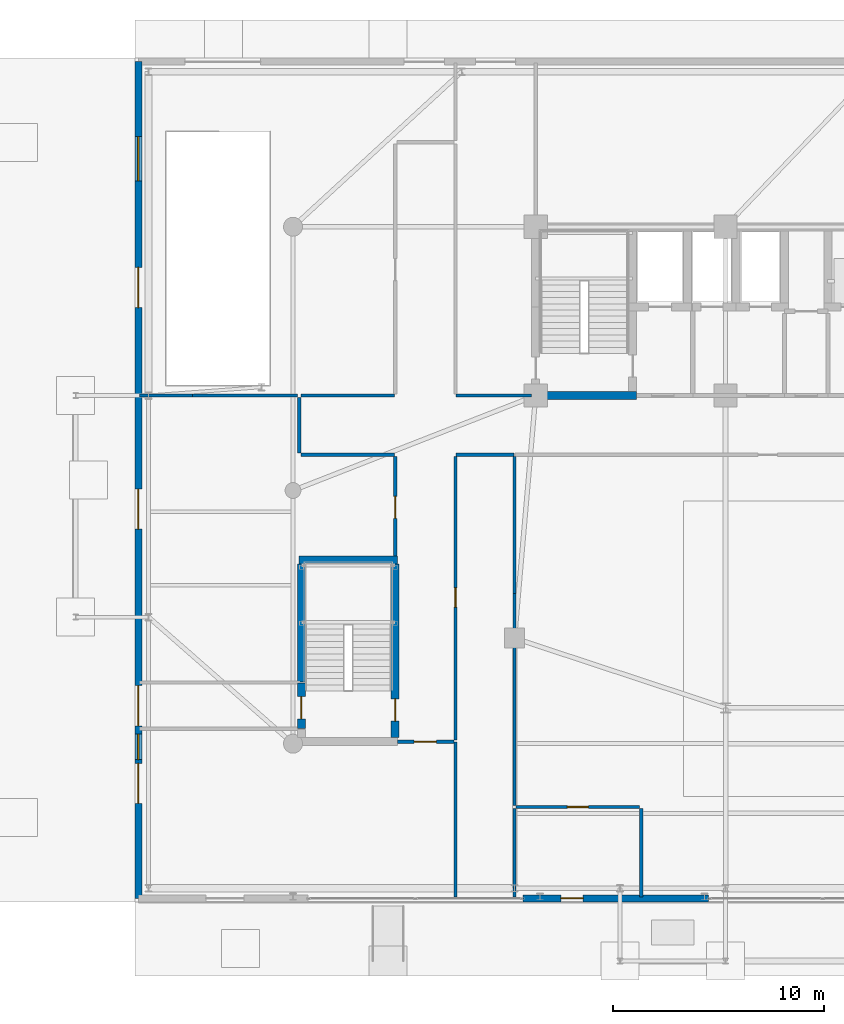
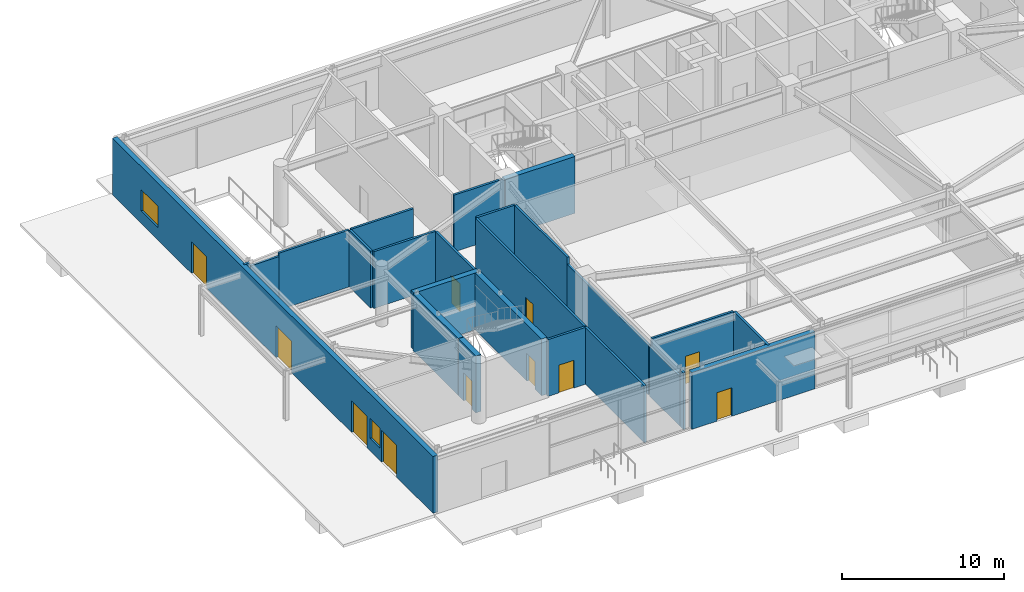
# One storey, part 19 of 29: 25 walls, 11 doors, 2 windows, 13 openings.
"""IFC4 building model written with IfcOpenShell, lengths in metres."""

from ifc_helpers import new_model, si_unit, direction, frame, frame_2d, origin, place, context, subcontext, project, spatial, rectangle, extrude, source, transform, mapped, material, layer, layer_set, type_object, element, fill, save


model = new_model("IFC4")

# Units and contexts
model_context = context("Model", 3, precision=1e-05, world=origin(), true_north=direction((0.0, 1.0)))
body_context = subcontext(model_context, "Body", "Model", "MODEL_VIEW")
ifc_project = project(units=[si_unit("LENGTHUNIT", "METRE"), si_unit("AREAUNIT", "SQUARE_METRE"), si_unit("VOLUMEUNIT", "CUBIC_METRE"), si_unit("PLANEANGLEUNIT", "RADIAN"), si_unit("MASSUNIT", "GRAM", prefix="KILO")], contexts=[model_context])

# Site, building, storey
site_placement = place(None, origin())
site = spatial("IfcSite", under=ifc_project, at=site_placement, CompositionType="ELEMENT")
building_placement = place(site_placement, origin())
building = spatial("IfcBuilding", under=site, at=building_placement, Name="Taldren Reach Tower", CompositionType="ELEMENT")
storey_placement = place(building_placement, origin())
storey = spatial("IfcBuildingStorey", under=building, at=storey_placement, Name="L00", CompositionType="ELEMENT", Elevation=0.0)

# Wall, opening, door
ifc_material_1 = material(Name="Pale Champagne Anodised Aluminium Cladding", Category="aluminium")
ifc_layer_1 = layer(ifc_material_1, 0.04, Name="Pale Champagne Anodised Aluminium Cladding", Category="aluminium")
ifc_material_2 = material(Name="Mineral Wool Thermal Insulation", Category="insulation")
ifc_layer_2 = layer(ifc_material_2, 0.08, Name="Mineral Wool Thermal Insulation", Category="insulation")
ifc_material_3 = material(Name="Concrete S50 (50 MPa)", Category="concrete")
ifc_layer_3 = layer(ifc_material_3, 0.22, Name="Concrete S50 (50 MPa)", Category="concrete")
ifc_layer_set_1 = layer_set([ifc_layer_1, ifc_layer_2, ifc_layer_3], Name="Pale Champagne Aluminium Cladding and Precast Concrete 50 MPa (S50)")
wall_type_1 = type_object("IfcWallType", Name="EW-POD-340", PredefinedType="SOLIDWALL", material=ifc_layer_set_1)
shared_shape_1 = source(origin(), body_context, "Body", "SweptSolid", [
    extrude(rectangle(XDim=8.800048828125, YDim=0.340087890625, at=frame_2d((4.39990234375, 0.0))), origin(), (0.0, 0.0, 1.0), 4.2900390625),
])
wall_1_placement = place(storey_placement, frame((18.39990234375, 0.169921875, 0.0), z_axis=(0.0, 0.0, 1.0), x_axis=(1.0, 0.0, 0.0)))
wall_1 = element("IfcWall", 1, at=wall_1_placement, inside=storey, type_object=wall_type_1, Name="Podium riverfront wall L00-S2", PredefinedType="SOLIDWALL", context=body_context, shape_type="MappedRepresentation", body=[
    mapped(shared_shape_1, transform((0.0, 0.0, 0.0), scale=1.0)),
])
shared_shape_2 = source(origin(), body_context, "Body", "SweptSolid", [
    extrude(rectangle(XDim=1.050048828125, YDim=2.14990234375, at=frame_2d((0.52490234375, 1.074951171875))), frame((0.0, 0.18017578125, 0.0), z_axis=(0.0, -1.0, 0.0), x_axis=(1.0, 0.0, 0.0)), (0.0, 0.0, 1.0), 0.360107421875),
])
opening_1_placement = place(wall_1_placement, frame((1.800048828125, 0.0, 0.0)))
opening_1 = element("IfcOpeningElement", 2, at=opening_1_placement, cuts=wall_1, Name="Opening ED-FCR", PredefinedType="OPENING", context=body_context, shape_type="MappedRepresentation", body=[
    mapped(shared_shape_2, transform((0.0, 0.0, 0.0), scale=1.0)),
])
ifc_material_4 = material(Name="Steel Gr 300 (300 MPa) Fire Control Exit Door", Category="steel")
door_type_1 = type_object("IfcDoorType", Name="ED-FCR-1050", OperationType="NOTDEFINED", PredefinedType="DOOR", material=ifc_material_4)
shared_shape_3 = source(origin(), body_context, "Body", "SweptSolid", [
    extrude(rectangle(XDim=1.050048828125, YDim=2.14990234375, at=frame_2d((0.52490234375, 1.074951171875))), frame((0.0, 0.02490234375, 0.0), z_axis=(0.0, -1.0, 0.0), x_axis=(1.0, 0.0, 0.0)), (0.0, 0.0, 1.0), 0.050048828125),
])
door_1_placement = place(opening_1_placement, frame((1.050048828125, 0.0, 0.0), z_axis=(0.0, 0.0, 1.0), x_axis=(-1.0, 0.0, 0.0)))
door_1 = element("IfcDoor", 3, at=door_1_placement, inside=storey, type_object=door_type_1, Name="Ground exit door ED-L00-FCR", OperationType="SINGLE_SWING_RIGHT", OverallHeight=2.14990234375, OverallWidth=1.050048828125, PredefinedType="DOOR", context=body_context, shape_type="MappedRepresentation", body=[
    mapped(shared_shape_3, transform((0.0, 0.0, 0.0), scale=1.0)),
])
fill(opening_1, door_1)

# Wall, openings, doors, windows
shared_shape_4 = source(origin(), body_context, "Body", "SweptSolid", [
    extrude(rectangle(XDim=39.66015625, YDim=0.340087890625, at=frame_2d((19.830078125, 0.0))), origin(), (0.0, 0.0, 1.0), 4.2900390625),
])
wall_2_placement = place(storey_placement, frame((0.169921875, 0.169921875, 0.0), z_axis=(0.0, 0.0, 1.0), x_axis=(0.0, 1.0, 0.0)))
wall_2 = element("IfcWall", 4, at=wall_2_placement, inside=storey, type_object=wall_type_1, Name="Podium west plaza wall L00", PredefinedType="SOLIDWALL", context=body_context, shape_type="MappedRepresentation", body=[
    mapped(shared_shape_4, transform((0.0, 0.0, 0.0), scale=1.0)),
])
shared_shape_5 = source(origin(), body_context, "Body", "SweptSolid", [
    extrude(rectangle(XDim=1.89990234375, YDim=2.39990234375, at=frame_2d((0.949951171875, 1.199951171875))), frame((0.0, 0.18017578125, 0.0), z_axis=(0.0, -1.0, 0.0), x_axis=(1.0, 0.0, 0.0)), (0.0, 0.0, 1.0), 0.360107421875),
])
opening_2_placement = place(wall_2_placement, frame((4.5, 0.0, 0.0)))
opening_2 = element("IfcOpeningElement", 5, at=opening_2_placement, cuts=wall_2, Name="Opening ED-190", PredefinedType="OPENING", context=body_context, shape_type="MappedRepresentation", body=[
    mapped(shared_shape_5, transform((0.0, 0.0, 0.0), scale=1.0)),
])
opening_3_placement = place(wall_2_placement, frame((17.5, 0.0, 0.0)))
opening_3 = element("IfcOpeningElement", 6, at=opening_3_placement, cuts=wall_2, Name="Opening ED-190", PredefinedType="OPENING", context=body_context, shape_type="MappedRepresentation", body=[
    mapped(shared_shape_5, transform((0.0, 0.0, 0.0), scale=1.0)),
])
opening_4_placement = place(wall_2_placement, frame((28.0, 0.0, 0.0)))
opening_4 = element("IfcOpeningElement", 7, at=opening_4_placement, cuts=wall_2, Name="Opening ED-190", PredefinedType="OPENING", context=body_context, shape_type="MappedRepresentation", body=[
    mapped(shared_shape_5, transform((0.0, 0.0, 0.0), scale=1.0)),
])
opening_5_placement = place(wall_2_placement, frame((8.179931640625, 0.0, 0.0)))
opening_5 = element("IfcOpeningElement", 8, at=opening_5_placement, cuts=wall_2, Name="Opening ED-190", PredefinedType="OPENING", context=body_context, shape_type="MappedRepresentation", body=[
    mapped(shared_shape_5, transform((0.0, 0.0, 0.0), scale=1.0)),
])
shared_shape_6 = source(origin(), body_context, "Body", "SweptSolid", [
    extrude(rectangle(XDim=1.199951171875, YDim=1.5, at=frame_2d((0.60009765625, 0.75))), frame((0.0, 0.18017578125, 0.0), z_axis=(0.0, -1.0, 0.0), x_axis=(1.0, 0.0, 0.0)), (0.0, 0.0, 1.0), 0.360107421875),
])
opening_6_placement = place(wall_2_placement, frame((6.580078125, 0.0, 0.949951171875)))
opening_6 = element("IfcOpeningElement", 9, at=opening_6_placement, cuts=wall_2, Name="Opening W-1215", PredefinedType="OPENING", context=body_context, shape_type="MappedRepresentation", body=[
    mapped(shared_shape_6, transform((0.0, 0.0, 0.0), scale=1.0)),
])
shared_shape_7 = source(origin(), body_context, "Body", "SweptSolid", [
    extrude(rectangle(XDim=2.10009765625, YDim=1.60009765625, at=frame_2d((1.050048828125, 0.800048828125))), frame((0.0, 0.18017578125, 0.0), z_axis=(0.0, -1.0, 0.0), x_axis=(1.0, 0.0, 0.0)), (0.0, 0.0, 1.0), 0.360107421875),
])
opening_7_placement = place(wall_2_placement, frame((34.0, 0.0, 0.949951171875)))
opening_7 = element("IfcOpeningElement", 10, at=opening_7_placement, cuts=wall_2, Name="Opening W-2116", PredefinedType="OPENING", context=body_context, shape_type="MappedRepresentation", body=[
    mapped(shared_shape_7, transform((0.0, 0.0, 0.0), scale=1.0)),
])
ifc_material_5 = material(Name="Glazed Aluminium Double Exit Door", Category="aluminium")
door_type_2 = type_object("IfcDoorType", Name="ED-EXIT-1900", OperationType="DOUBLE_DOOR_SINGLE_SWING", PredefinedType="DOOR", material=ifc_material_5)
shared_shape_8 = source(origin(), body_context, "Body", "SweptSolid", [
    extrude(rectangle(XDim=1.89990234375, YDim=2.39990234375, at=frame_2d((0.949951171875, 1.199951171875))), frame((0.0, 0.02490234375, 0.0), z_axis=(0.0, -1.0, 0.0), x_axis=(1.0, 0.0, 0.0)), (0.0, 0.0, 1.0), 0.050048828125),
])
door_2_placement = place(opening_2_placement, origin())
door_2 = element("IfcDoor", 11, at=door_2_placement, inside=storey, type_object=door_type_2, Name="West plaza exit door ED-L00-W1", OperationType="DOUBLE_DOOR_SINGLE_SWING", OverallHeight=2.39990234375, OverallWidth=1.89990234375, PredefinedType="DOOR", context=body_context, shape_type="MappedRepresentation", body=[
    mapped(shared_shape_8, transform((0.0, 0.0, 0.0), scale=1.0)),
])
fill(opening_2, door_2)
door_3_placement = place(opening_3_placement, origin())
door_3 = element("IfcDoor", 12, at=door_3_placement, inside=storey, type_object=door_type_2, Name="West plaza exit door ED-L00-W2", OperationType="DOUBLE_DOOR_SINGLE_SWING", OverallHeight=2.39990234375, OverallWidth=1.89990234375, PredefinedType="DOOR", context=body_context, shape_type="MappedRepresentation", body=[
    mapped(shared_shape_8, transform((0.0, 0.0, 0.0), scale=1.0)),
])
fill(opening_3, door_3)
door_4_placement = place(opening_4_placement, origin())
door_4 = element("IfcDoor", 13, at=door_4_placement, inside=storey, type_object=door_type_2, Name="West plaza exit door ED-L00-W3", OperationType="DOUBLE_DOOR_SINGLE_SWING", OverallHeight=2.39990234375, OverallWidth=1.89990234375, PredefinedType="DOOR", context=body_context, shape_type="MappedRepresentation", body=[
    mapped(shared_shape_8, transform((0.0, 0.0, 0.0), scale=1.0)),
])
fill(opening_4, door_4)
door_5_placement = place(opening_5_placement, origin())
door_5 = element("IfcDoor", 14, at=door_5_placement, inside=storey, type_object=door_type_2, Name="West plaza exit door ED-L00-W4", OperationType="DOUBLE_DOOR_SINGLE_SWING", OverallHeight=2.39990234375, OverallWidth=1.89990234375, PredefinedType="DOOR", context=body_context, shape_type="MappedRepresentation", body=[
    mapped(shared_shape_8, transform((0.0, 0.0, 0.0), scale=1.0)),
])
fill(opening_5, door_5)
ifc_material_6 = material(Name="Thermally Broken Aluminium and Low-E IGU", Category="aluminium")
window_type_1 = type_object("IfcWindowType", Name="WN-POD-1200", PartitioningType="SINGLE_PANEL", PredefinedType="WINDOW", material=ifc_material_6)
shared_shape_9 = source(origin(), body_context, "Body", "SweptSolid", [
    extrude(rectangle(XDim=1.199951171875, YDim=1.5, at=frame_2d((0.60009765625, 0.75))), frame((0.0, 0.030029296875, 0.0), z_axis=(0.0, -1.0, 0.0), x_axis=(1.0, 0.0, 0.0)), (0.0, 0.0, 1.0), 0.06005859375),
])
window_1_placement = place(opening_6_placement, origin())
window_1 = element("IfcWindow", 15, at=window_1_placement, inside=storey, type_object=window_type_1, Name="Clinic window L00-W1", OverallHeight=1.5, OverallWidth=1.199951171875, PartitioningType="SINGLE_PANEL", PredefinedType="WINDOW", context=body_context, shape_type="MappedRepresentation", body=[
    mapped(shared_shape_9, transform((0.0, 0.0, 0.0), scale=1.0)),
])
fill(opening_6, window_1)
window_type_2 = type_object("IfcWindowType", Name="WN-POD-2100", PartitioningType="SINGLE_PANEL", PredefinedType="WINDOW", material=ifc_material_6)
shared_shape_10 = source(origin(), body_context, "Body", "SweptSolid", [
    extrude(rectangle(XDim=2.10009765625, YDim=1.60009765625, at=frame_2d((1.050048828125, 0.800048828125))), frame((0.0, 0.030029296875, 0.0), z_axis=(0.0, -1.0, 0.0), x_axis=(1.0, 0.0, 0.0)), (0.0, 0.0, 1.0), 0.06005859375),
])
window_2_placement = place(opening_7_placement, origin())
window_2 = element("IfcWindow", 16, at=window_2_placement, inside=storey, type_object=window_type_2, Name="Clinic window L00-W2", OverallHeight=1.60009765625, OverallWidth=2.10009765625, PartitioningType="SINGLE_PANEL", PredefinedType="WINDOW", context=body_context, shape_type="MappedRepresentation", body=[
    mapped(shared_shape_10, transform((0.0, 0.0, 0.0), scale=1.0)),
])
fill(opening_7, window_2)

# Wall
ifc_material_7 = material(Name="Concrete S80 (80 MPa)", Category="concrete")
ifc_layer_4 = layer(ifc_material_7, 0.3798828125)
ifc_layer_set_2 = layer_set([ifc_layer_4], Name="Concrete S80 (80 MPa)")
wall_type_2 = type_object("IfcWallType", Name="IW-CORE-380", PredefinedType="SHEAR", material=ifc_layer_set_2)
shared_shape_11 = source(origin(), body_context, "Body", "SweptSolid", [
    extrude(rectangle(XDim=4.97998046875, YDim=0.3798828125, at=frame_2d((2.489990234375, 0.0))), origin(), (0.0, 0.0, 1.0), 4.2900390625),
])
wall_3_placement = place(storey_placement, frame((18.81005859375, 24.0, 0.0), z_axis=(0.0, 0.0, 1.0), x_axis=(1.0, 0.0, 0.0)))
element("IfcWall", 17, at=wall_3_placement, inside=storey, type_object=wall_type_2, Name="Rear Core Shear Wall W-INT-L00-003", PredefinedType="SHEAR", context=body_context, shape_type="MappedRepresentation", body=[
    mapped(shared_shape_11, transform((0.0, 0.0, 0.0), scale=1.0)),
])

# Wall, opening, door
shared_shape_12 = source(origin(), body_context, "Body", "SweptSolid", [
    extrude(rectangle(XDim=8.219970703125, YDim=0.3798828125, at=frame_2d((4.10986328125, 0.0))), origin(), (0.0, 0.0, 1.0), 4.2900390625),
])
wall_4_placement = place(storey_placement, frame((12.340087890625, 16.010009765625, 0.0), z_axis=(0.0, 0.0, 1.0), x_axis=(0.0, -1.0, 0.0)))
wall_4 = element("IfcWall", 18, at=wall_4_placement, inside=storey, type_object=wall_type_2, Name="Rear Core Shear Wall W-INT-L00-042", PredefinedType="SHEAR", context=body_context, shape_type="MappedRepresentation", body=[
    mapped(shared_shape_12, transform((0.0, 0.0, 0.0), scale=1.0)),
])
shared_shape_13 = source(origin(), body_context, "Body", "SweptSolid", [
    extrude(rectangle(XDim=1.050048828125, YDim=2.10009765625, at=frame_2d((0.52490234375, 1.050048828125))), frame((0.0, 0.199951171875, 0.0), z_axis=(0.0, -1.0, 0.0), x_axis=(1.0, 0.0, 0.0)), (0.0, 0.0, 1.0), 0.39990234375),
])
opening_8_placement = place(wall_4_placement, frame((6.385009765625, 0.0, 0.0)))
opening_8 = element("IfcOpeningElement", 19, at=opening_8_placement, cuts=wall_4, Name="Opening DF-105", PredefinedType="OPENING", context=body_context, shape_type="MappedRepresentation", body=[
    mapped(shared_shape_13, transform((0.0, 0.0, 0.0), scale=1.0)),
])
ifc_material_8 = material(Name="Fire-Rated Care and Stair Exit Door")
door_type_3 = type_object("IfcDoorType", Name="ID-FIRE-105", OperationType="NOTDEFINED", PredefinedType="DOOR", material=ifc_material_8)
shared_shape_14 = source(origin(), body_context, "Body", "SweptSolid", [
    extrude(rectangle(XDim=1.050048828125, YDim=2.10009765625, at=frame_2d((0.52490234375, 1.050048828125))), frame((0.0, 0.02490234375, 0.0), z_axis=(0.0, -1.0, 0.0), x_axis=(1.0, 0.0, 0.0)), (0.0, 0.0, 1.0), 0.050048828125),
])
door_6_placement = place(opening_8_placement, origin())
door_6 = element("IfcDoor", 20, at=door_6_placement, inside=storey, type_object=door_type_3, Name="Fire Exit Stair Door DR-L00-010", OperationType="SINGLE_SWING_RIGHT", OverallHeight=2.10009765625, OverallWidth=1.050048828125, PredefinedType="DOOR", context=body_context, shape_type="MappedRepresentation", body=[
    mapped(shared_shape_14, transform((0.0, 0.0, 0.0), scale=1.0)),
])
fill(opening_8, door_6)

# Walls
shared_shape_15 = source(origin(), body_context, "Body", "SweptSolid", [
    extrude(rectangle(XDim=4.659912109375, YDim=0.3798828125, at=frame_2d((2.330078125, 0.0))), origin(), (0.0, 0.0, 1.0), 4.2900390625),
])
wall_5_placement = place(storey_placement, frame((7.7900390625, 16.199951171875, 0.0), z_axis=(0.0, 0.0, 1.0), x_axis=(1.0, 0.0, 0.0)))
element("IfcWall", 21, at=wall_5_placement, inside=storey, type_object=wall_type_2, Name="Rear Core Shear Wall W-INT-L00-046", PredefinedType="SHEAR", context=body_context, shape_type="MappedRepresentation", body=[
    mapped(shared_shape_15, transform((0.0, 0.0, 0.0), scale=1.0)),
])
shared_shape_16 = source(origin(), body_context, "Body", "SweptSolid", [
    extrude(rectangle(XDim=5.58984375, YDim=0.3798828125, at=frame_2d((2.794921875, 0.0))), origin(), (0.0, 0.0, 1.0), 4.2900390625),
])
wall_6_placement = place(storey_placement, frame((7.89990234375, 10.420166015625, 0.0), z_axis=(0.0, 0.0, 1.0), x_axis=(0.0, 1.0, 0.0)))
element("IfcWall", 22, at=wall_6_placement, inside=storey, type_object=wall_type_2, Name="Rear Core Shear Wall W-INT-L00-045", PredefinedType="SHEAR", context=body_context, shape_type="MappedRepresentation", body=[
    mapped(shared_shape_16, transform((0.0, 0.0, 0.0), scale=1.0)),
])

# Wall, opening, door
shared_shape_17 = source(origin(), body_context, "Body", "SweptSolid", [
    extrude(rectangle(XDim=2.15966796875, YDim=0.3798828125, at=frame_2d((1.079833984375, 0.0))), origin(), (0.0, 0.0, 1.0), 4.2900390625),
])
wall_7_placement = place(storey_placement, frame((7.89990234375, 8.22021484375, 0.0), z_axis=(0.0, 0.0, 1.0), x_axis=(0.0, 1.0, 0.0)))
wall_7 = element("IfcWall", 23, at=wall_7_placement, inside=storey, type_object=wall_type_2, Name="Rear Core Shear Wall W-INT-L00-047", PredefinedType="SHEAR", context=body_context, shape_type="MappedRepresentation", body=[
    mapped(shared_shape_17, transform((0.0, 0.0, 0.0), scale=1.0)),
])
opening_9_placement = place(wall_7_placement, frame((0.454833984375, 0.0, 0.0)))
opening_9 = element("IfcOpeningElement", 24, at=opening_9_placement, cuts=wall_7, Name="Opening DF-105", PredefinedType="OPENING", context=body_context, shape_type="MappedRepresentation", body=[
    mapped(shared_shape_13, transform((0.0, 0.0, 0.0), scale=1.0)),
])
door_7_placement = place(opening_9_placement, origin())
door_7 = element("IfcDoor", 25, at=door_7_placement, inside=storey, type_object=door_type_3, Name="Fire Exit Stair Door DR-L00-024", OperationType="SINGLE_SWING_LEFT", OverallHeight=2.10009765625, OverallWidth=1.050048828125, PredefinedType="DOOR", context=body_context, shape_type="MappedRepresentation", body=[
    mapped(shared_shape_14, transform((0.0, 0.0, 0.0), scale=1.0)),
])
fill(opening_9, door_7)

ifc_material_9 = material(Name="Fire-Rated Acoustic Plasterboard Stud Wall", Category="gypsum")
ifc_layer_5 = layer(ifc_material_9, 0.159912109375)
ifc_layer_set_3 = layer_set([ifc_layer_5], Name="Fire-Rated Acoustic Plasterboard Stud Wall")
wall_type_3 = type_object("IfcWallType", Name="IW-FIRE-160", PredefinedType="PARTITIONING", material=ifc_layer_set_3)
shared_shape_18 = source(origin(), body_context, "Body", "SweptSolid", [
    extrude(rectangle(XDim=13.440185546875, YDim=0.159912109375, at=frame_2d((6.72021484375, 0.0))), origin(), (0.0, 0.0, 1.0), 4.2900390625),
])
wall_8_placement = place(storey_placement, frame((15.199951171875, 21.1201171875, 0.0), z_axis=(0.0, 0.0, 1.0), x_axis=(0.0, -1.0, 0.0)))
wall_8 = element("IfcWall", 26, at=wall_8_placement, inside=storey, type_object=wall_type_3, Name="Interior Partition Wall W-INT-L00-051", PredefinedType="PARTITIONING", context=body_context, shape_type="MappedRepresentation", body=[
    mapped(shared_shape_18, transform((0.0, 0.0, 0.0), scale=1.0)),
])
shared_shape_19 = source(origin(), body_context, "Body", "SweptSolid", [
    extrude(rectangle(XDim=0.919921875, YDim=2.10009765625, at=frame_2d((0.4599609375, 1.050048828125))), frame((0.0, 0.08984375, 0.0), z_axis=(0.0, -1.0, 0.0), x_axis=(1.0, 0.0, 0.0)), (0.0, 0.0, 1.0), 0.179931640625),
])
opening_10_placement = place(wall_8_placement, frame((6.22998046875, 0.0, 0.0)))
opening_10 = element("IfcOpeningElement", 27, at=opening_10_placement, cuts=wall_8, Name="Opening DI-092", PredefinedType="OPENING", context=body_context, shape_type="MappedRepresentation", body=[
    mapped(shared_shape_19, transform((0.0, 0.0, 0.0), scale=1.0)),
])
ifc_material_10 = material(Name="Solid-Core Timber Suite Door", Category="wood")
door_type_4 = type_object("IfcDoorType", Name="ID-INT-092", OperationType="NOTDEFINED", PredefinedType="DOOR", material=ifc_material_10)
shared_shape_20 = source(origin(), body_context, "Body", "SweptSolid", [
    extrude(rectangle(XDim=0.919921875, YDim=2.10009765625, at=frame_2d((0.4599609375, 1.050048828125))), frame((0.0, 0.02490234375, 0.0), z_axis=(0.0, -1.0, 0.0), x_axis=(1.0, 0.0, 0.0)), (0.0, 0.0, 1.0), 0.050048828125),
])
door_8_placement = place(opening_10_placement, origin())
door_8 = element("IfcDoor", 28, at=door_8_placement, inside=storey, type_object=door_type_4, Name="Interior Door DR-L00-013", OperationType="SINGLE_SWING_RIGHT", OverallHeight=2.10009765625, OverallWidth=0.919921875, PredefinedType="DOOR", context=body_context, shape_type="MappedRepresentation", body=[
    mapped(shared_shape_20, transform((0.0, 0.0, 0.0), scale=1.0)),
])
fill(opening_10, door_8)

# Wall
shared_shape_21 = source(origin(), body_context, "Body", "SweptSolid", [
    extrude(rectangle(XDim=2.759521484375, YDim=0.159912109375, at=frame_2d((1.3798828125, 0.0))), origin(), (0.0, 0.0, 1.0), 4.2900390625),
])
wall_9_placement = place(storey_placement, frame((17.979736328125, 21.199951171875, 0.0), z_axis=(0.0, 0.0, 1.0), x_axis=(-1.0, 0.0, 0.0)))
element("IfcWall", 29, at=wall_9_placement, inside=storey, type_object=wall_type_3, Name="Interior Partition Wall W-INT-L00-052", PredefinedType="PARTITIONING", context=body_context, shape_type="MappedRepresentation", body=[
    mapped(shared_shape_21, transform((0.0, 0.0, 0.0), scale=1.0)),
])

# Wall, opening, door
shared_shape_22 = source(origin(), body_context, "Body", "SweptSolid", [
    extrude(rectangle(XDim=2.670166015625, YDim=0.159912109375, at=frame_2d((1.3349609375, 0.0))), origin(), (0.0, 0.0, 1.0), 4.2900390625),
])
wall_10_placement = place(storey_placement, frame((15.1201171875, 7.60009765625, 0.0), z_axis=(0.0, 0.0, 1.0), x_axis=(-1.0, 0.0, 0.0)))
wall_10 = element("IfcWall", 30, at=wall_10_placement, inside=storey, type_object=wall_type_3, Name="Interior Partition Wall W-INT-L00-053", PredefinedType="PARTITIONING", context=body_context, shape_type="MappedRepresentation", body=[
    mapped(shared_shape_22, transform((0.0, 0.0, 0.0), scale=1.0)),
])
shared_shape_23 = source(origin(), body_context, "Body", "SweptSolid", [
    extrude(rectangle(XDim=1.050048828125, YDim=2.10009765625, at=frame_2d((0.52490234375, 1.050048828125))), frame((0.0, 0.08984375, 0.0), z_axis=(0.0, -1.0, 0.0), x_axis=(1.0, 0.0, 0.0)), (0.0, 0.0, 1.0), 0.179931640625),
])
opening_11_placement = place(wall_10_placement, frame((0.824951171875, 0.0, 0.0)))
opening_11 = element("IfcOpeningElement", 31, at=opening_11_placement, cuts=wall_10, Name="Opening DF-105", PredefinedType="OPENING", context=body_context, shape_type="MappedRepresentation", body=[
    mapped(shared_shape_23, transform((0.0, 0.0, 0.0), scale=1.0)),
])
door_9_placement = place(opening_11_placement, origin())
door_9 = element("IfcDoor", 32, at=door_9_placement, inside=storey, type_object=door_type_3, Name="Interior Door DR-L00-014", OperationType="SINGLE_SWING_LEFT", OverallHeight=2.10009765625, OverallWidth=1.050048828125, PredefinedType="DOOR", context=body_context, shape_type="MappedRepresentation", body=[
    mapped(shared_shape_14, transform((0.0, 0.0, 0.0), scale=1.0)),
])
fill(opening_11, door_9)

shared_shape_24 = source(origin(), body_context, "Body", "SweptSolid", [
    extrude(rectangle(XDim=4.730224609375, YDim=0.159912109375, at=frame_2d((2.365234375, 0.0))), origin(), (0.0, 0.0, 1.0), 4.2900390625),
])
wall_11_placement = place(storey_placement, frame((12.340087890625, 16.389892578125, 0.0), z_axis=(0.0, 0.0, 1.0), x_axis=(0.0, 1.0, 0.0)))
wall_11 = element("IfcWall", 33, at=wall_11_placement, inside=storey, type_object=wall_type_3, Name="Interior Partition Wall W-INT-L00-054", PredefinedType="PARTITIONING", context=body_context, shape_type="MappedRepresentation", body=[
    mapped(shared_shape_24, transform((0.0, 0.0, 0.0), scale=1.0)),
])
opening_12_placement = place(wall_11_placement, frame((1.784912109375, 0.0, 0.0)))
opening_12 = element("IfcOpeningElement", 34, at=opening_12_placement, cuts=wall_11, Name="Opening DF-105", PredefinedType="OPENING", context=body_context, shape_type="MappedRepresentation", body=[
    mapped(shared_shape_23, transform((0.0, 0.0, 0.0), scale=1.0)),
])
door_10_placement = place(opening_12_placement, origin())
door_10 = element("IfcDoor", 35, at=door_10_placement, inside=storey, type_object=door_type_3, Name="Interior Door DR-L00-015", OperationType="SINGLE_SWING_RIGHT", OverallHeight=2.10009765625, OverallWidth=1.050048828125, PredefinedType="DOOR", context=body_context, shape_type="MappedRepresentation", body=[
    mapped(shared_shape_14, transform((0.0, 0.0, 0.0), scale=1.0)),
])
fill(opening_12, door_10)

# Walls
shared_shape_25 = source(origin(), body_context, "Body", "SweptSolid", [
    extrude(rectangle(XDim=4.43994140625, YDim=0.159912109375, at=frame_2d((2.219970703125, 0.0))), origin(), (0.0, 0.0, 1.0), 4.2900390625),
])
for number, where, z_axis, x_axis, name in (
    (36, (12.31982421875, 21.199951171875, 0.0), (0.0, 0.0, 1.0), (-1.0, 0.0, 0.0), "Interior Partition Wall W-INT-L00-055"),
    (37, (7.8798828125, 24.0, 0.0), (0.0, 0.0, 1.0), (1.0, 0.0, 0.0), "Interior Partition Wall W-INT-L00-058"),
):
    element("IfcWall", number, at=place(storey_placement, frame(where, z_axis=z_axis, x_axis=x_axis)), inside=storey, type_object=wall_type_3, Name=name, PredefinedType="PARTITIONING", context=body_context, shape_type="MappedRepresentation", body=[
        mapped(shared_shape_25, transform((0.0, 0.0, 0.0), scale=1.0)),
    ])
shared_shape_26 = source(origin(), body_context, "Body", "SweptSolid", [
    extrude(rectangle(XDim=2.639892578125, YDim=0.159912109375, at=frame_2d((1.31982421875, 0.0))), origin(), (0.0, 0.0, 1.0), 4.2900390625),
])
wall_12_placement = place(storey_placement, frame((7.800048828125, 21.280029296875, 0.0), z_axis=(0.0, 0.0, 1.0), x_axis=(0.0, 1.0, 0.0)))
element("IfcWall", 38, at=wall_12_placement, inside=storey, type_object=wall_type_3, Name="Interior Partition Wall W-INT-L00-056", PredefinedType="PARTITIONING", context=body_context, shape_type="MappedRepresentation", body=[
    mapped(shared_shape_26, transform((0.0, 0.0, 0.0), scale=1.0)),
])
shared_shape_27 = source(origin(), body_context, "Body", "SweptSolid", [
    extrude(rectangle(XDim=3.58984375, YDim=0.159912109375, at=frame_2d((1.794921875, 0.0))), origin(), (0.0, 0.0, 1.0), 4.2900390625),
])
wall_13_placement = place(storey_placement, frame((15.22021484375, 24.0, 0.0), z_axis=(0.0, 0.0, 1.0), x_axis=(1.0, 0.0, 0.0)))
element("IfcWall", 39, at=wall_13_placement, inside=storey, type_object=wall_type_3, Name="Interior Partition Wall W-INT-L00-061", PredefinedType="PARTITIONING", context=body_context, shape_type="MappedRepresentation", body=[
    mapped(shared_shape_27, transform((0.0, 0.0, 0.0), scale=1.0)),
])

# Wall, opening, door
shared_shape_28 = source(origin(), body_context, "Body", "SweptSolid", [
    extrude(rectangle(XDim=5.83984375, YDim=0.159912109375, at=frame_2d((2.919921875, 0.0))), origin(), (0.0, 0.0, 1.0), 4.2900390625),
])
wall_14_placement = place(storey_placement, frame((18.080078125, 4.5, 0.0), z_axis=(0.0, 0.0, 1.0), x_axis=(1.0, 0.0, 0.0)))
wall_14 = element("IfcWall", 40, at=wall_14_placement, inside=storey, type_object=wall_type_3, Name="Interior Partition Wall W-INT-L00-071", PredefinedType="PARTITIONING", context=body_context, shape_type="MappedRepresentation", body=[
    mapped(shared_shape_28, transform((0.0, 0.0, 0.0), scale=1.0)),
])
shared_shape_29 = source(origin(), body_context, "Body", "SweptSolid", [
    extrude(rectangle(XDim=1.0, YDim=2.10009765625, at=frame_2d((0.5, 1.050048828125))), frame((0.0, 0.08984375, 0.0), z_axis=(0.0, -1.0, 0.0), x_axis=(1.0, 0.0, 0.0)), (0.0, 0.0, 1.0), 0.179931640625),
])
opening_13_placement = place(wall_14_placement, frame((2.419921875, 0.0, 0.0)))
opening_13 = element("IfcOpeningElement", 41, at=opening_13_placement, cuts=wall_14, Name="Opening D-FCR", PredefinedType="OPENING", context=body_context, shape_type="MappedRepresentation", body=[
    mapped(shared_shape_29, transform((0.0, 0.0, 0.0), scale=1.0)),
])
ifc_material_11 = material(Name="Steel Gr 300 (300 MPa) Fire Control Door", Category="steel")
door_type_5 = type_object("IfcDoorType", Name="ID-FCR-100", OperationType="NOTDEFINED", PredefinedType="DOOR", material=ifc_material_11)
shared_shape_30 = source(origin(), body_context, "Body", "SweptSolid", [
    extrude(rectangle(XDim=1.0, YDim=2.10009765625, at=frame_2d((0.5, 1.050048828125))), frame((0.0, 0.02490234375, 0.0), z_axis=(0.0, -1.0, 0.0), x_axis=(1.0, 0.0, 0.0)), (0.0, 0.0, 1.0), 0.050048828125),
])
door_11_placement = place(opening_13_placement, frame((1.0, 0.0, 0.0), z_axis=(0.0, 0.0, 1.0), x_axis=(-1.0, 0.0, 0.0)))
door_11 = element("IfcDoor", 42, at=door_11_placement, inside=storey, type_object=door_type_5, Name="Interior Door DR-L00-021", OperationType="SINGLE_SWING_LEFT", OverallHeight=2.10009765625, OverallWidth=1.0, PredefinedType="DOOR", context=body_context, shape_type="MappedRepresentation", body=[
    mapped(shared_shape_30, transform((0.0, 0.0, 0.0), scale=1.0)),
])
fill(opening_13, door_11)

# Walls
shared_shape_31 = source(origin(), body_context, "Body", "SweptSolid", [
    extrude(rectangle(XDim=4.18994140625, YDim=0.159912109375, at=frame_2d((2.094970703125, 0.0))), origin(), (0.0, 0.0, 1.0), 4.2900390625),
])
wall_15_placement = place(storey_placement, frame((24.0, 4.419921875, 0.0), z_axis=(0.0, 0.0, 1.0), x_axis=(0.0, -1.0, 0.0)))
element("IfcWall", 43, at=wall_15_placement, inside=storey, type_object=wall_type_3, Name="Interior Partition Wall W-INT-L00-072", PredefinedType="PARTITIONING", context=body_context, shape_type="MappedRepresentation", body=[
    mapped(shared_shape_31, transform((0.0, 0.0, 0.0), scale=1.0)),
])
shared_shape_32 = source(origin(), body_context, "Body", "SweptSolid", [
    extrude(rectangle(XDim=0.419921875, YDim=0.159912109375, at=frame_2d((0.2099609375, 0.0))), origin(), (0.0, 0.0, 1.0), 4.2900390625),
])
wall_16_placement = place(storey_placement, frame((18.0, 0.22998046875, 0.0), z_axis=(0.0, 0.0, 1.0), x_axis=(0.0, 1.0, 0.0)))
element("IfcWall", 44, at=wall_16_placement, inside=storey, type_object=wall_type_3, Name="Interior Partition Wall W-INT-L00-073", PredefinedType="PARTITIONING", context=body_context, shape_type="MappedRepresentation", body=[
    mapped(shared_shape_32, transform((0.0, 0.0, 0.0), scale=1.0)),
])
shared_shape_33 = source(origin(), body_context, "Body", "SweptSolid", [
    extrude(rectangle(XDim=3.77001953125, YDim=0.159912109375, at=frame_2d((1.885009765625, 0.0))), origin(), (0.0, 0.0, 1.0), 3.757080078125),
])
wall_17_placement = place(storey_placement, frame((18.0, 0.64990234375, 0.0), z_axis=(0.0, 0.0, 1.0), x_axis=(0.0, 1.0, 0.0)))
element("IfcWall", 45, at=wall_17_placement, inside=storey, type_object=wall_type_3, Name="Interior Partition Wall W-INT-L00-073 part 2", PredefinedType="PARTITIONING", context=body_context, shape_type="MappedRepresentation", body=[
    mapped(shared_shape_33, transform((0.0, 0.0, 0.0), scale=1.0)),
])
shared_shape_34 = source(origin(), body_context, "Body", "SweptSolid", [
    extrude(rectangle(XDim=10.046142578125, YDim=0.159912109375, at=frame_2d((5.02294921875, 0.0))), origin(), (0.0, 0.0, 1.0), 3.757080078125),
])
wall_18_placement = place(storey_placement, frame((18.0, 4.580078125, 0.0), z_axis=(0.0, 0.0, 1.0), x_axis=(0.0, 1.0, 0.0)))
element("IfcWall", 46, at=wall_18_placement, inside=storey, type_object=wall_type_3, Name="Interior Partition Wall W-INT-L00-075", PredefinedType="PARTITIONING", context=body_context, shape_type="MappedRepresentation", body=[
    mapped(shared_shape_34, transform((0.0, 0.0, 0.0), scale=1.0)),
])
shared_shape_35 = source(origin(), body_context, "Body", "SweptSolid", [
    extrude(rectangle(XDim=6.493896484375, YDim=0.159912109375, at=frame_2d((3.2470703125, 0.0))), origin(), (0.0, 0.0, 1.0), 4.2900390625),
])
wall_19_placement = place(storey_placement, frame((18.0, 14.626220703125, 0.0), z_axis=(0.0, 0.0, 1.0), x_axis=(0.0, 1.0, 0.0)))
element("IfcWall", 47, at=wall_19_placement, inside=storey, type_object=wall_type_3, Name="Interior Partition Wall W-INT-L00-075 part 2", PredefinedType="PARTITIONING", context=body_context, shape_type="MappedRepresentation", body=[
    mapped(shared_shape_35, transform((0.0, 0.0, 0.0), scale=1.0)),
])
shared_shape_36 = source(origin(), body_context, "Body", "SweptSolid", [
    extrude(rectangle(XDim=7.349853515625, YDim=0.159912109375, at=frame_2d((3.6748046875, 0.0))), origin(), (0.0, 0.0, 1.0), 4.2900390625),
])
wall_20_placement = place(storey_placement, frame((15.199951171875, 0.22998046875, 0.0), z_axis=(0.0, 0.0, 1.0), x_axis=(0.0, 1.0, 0.0)))
element("IfcWall", 48, at=wall_20_placement, inside=storey, type_object=wall_type_3, Name="Interior Partition Wall W-INT-L00-076", PredefinedType="PARTITIONING", context=body_context, shape_type="MappedRepresentation", body=[
    mapped(shared_shape_36, transform((0.0, 0.0, 0.0), scale=1.0)),
])
shared_shape_37 = source(origin(), body_context, "Body", "SweptSolid", [
    extrude(rectangle(XDim=0.41455078125, YDim=0.159912109375, at=frame_2d((0.207275390625, 0.0))), origin(), (0.0, 0.0, 1.0), 4.2900390625),
])
wall_21_placement = place(storey_placement, frame((0.22998046875, 24.0, 0.0), z_axis=(0.0, 0.0, 1.0), x_axis=(1.0, 0.0, 0.0)))
element("IfcWall", 49, at=wall_21_placement, inside=storey, type_object=wall_type_3, Name="Interior Partition Wall W-INT-L00-078", PredefinedType="PARTITIONING", context=body_context, shape_type="MappedRepresentation", body=[
    mapped(shared_shape_37, transform((0.0, 0.0, 0.0), scale=1.0)),
])
shared_shape_38 = source(origin(), body_context, "Body", "SweptSolid", [
    extrude(rectangle(XDim=2.081298828125, YDim=0.159912109375, at=frame_2d((1.04052734375, 0.0))), origin(), (0.0, 0.0, 1.0), 4.0400390625),
])
wall_22_placement = place(storey_placement, frame((0.64453125, 24.0, 0.0), z_axis=(0.0, 0.0, 1.0), x_axis=(1.0, 0.0, 0.0)))
element("IfcWall", 50, at=wall_22_placement, inside=storey, type_object=wall_type_3, Name="Interior Partition Wall W-INT-L00-078 part 2", PredefinedType="PARTITIONING", context=body_context, shape_type="MappedRepresentation", body=[
    mapped(shared_shape_38, transform((0.0, 0.0, 0.0), scale=1.0)),
])
shared_shape_39 = source(origin(), body_context, "Body", "SweptSolid", [
    extrude(rectangle(XDim=4.994140625, YDim=0.159912109375, at=frame_2d((2.4970703125, 0.0))), origin(), (0.0, 0.0, 1.0), 4.2900390625),
])
wall_23_placement = place(storey_placement, frame((2.725830078125, 24.0, 0.0), z_axis=(0.0, 0.0, 1.0), x_axis=(1.0, 0.0, 0.0)))
element("IfcWall", 51, at=wall_23_placement, inside=storey, type_object=wall_type_3, Name="Interior Partition Wall W-INT-L00-078 part 3", PredefinedType="PARTITIONING", context=body_context, shape_type="MappedRepresentation", body=[
    mapped(shared_shape_39, transform((0.0, 0.0, 0.0), scale=1.0)),
])

save(model, "model.ifc")
